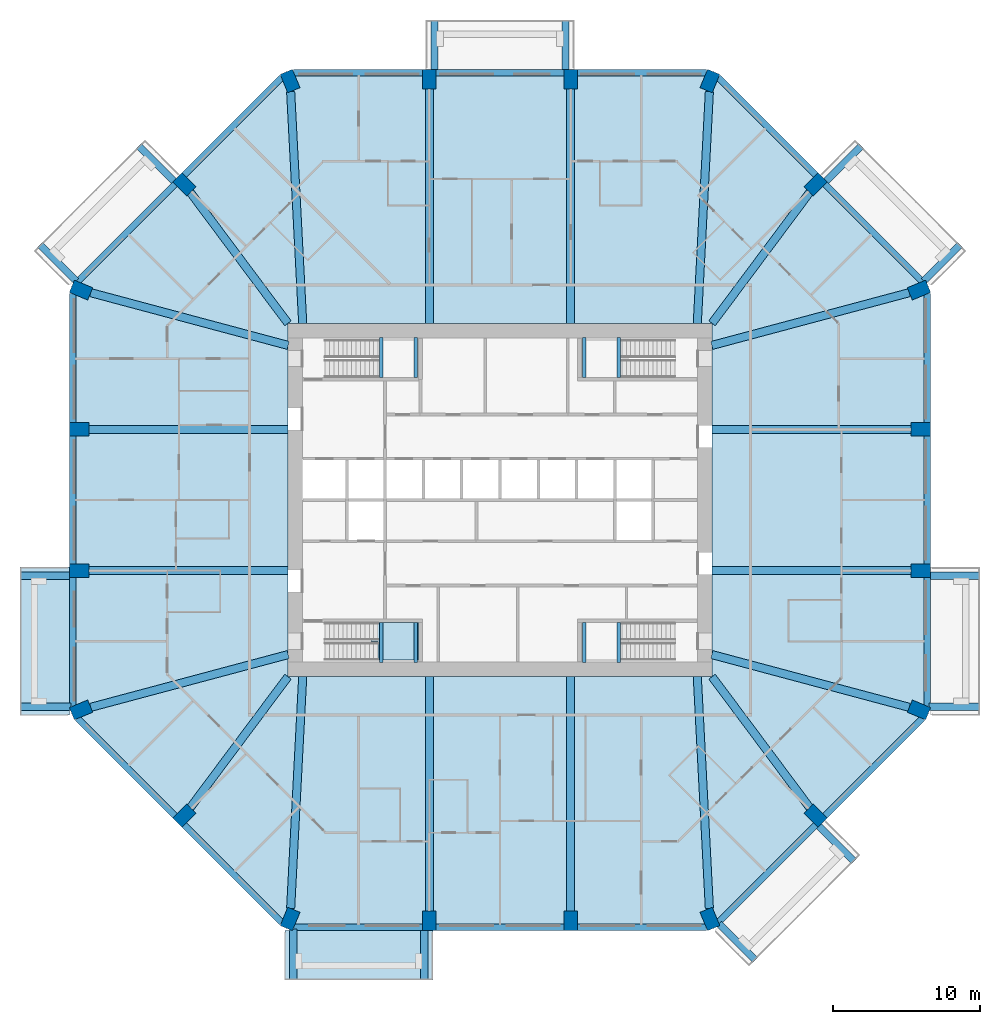
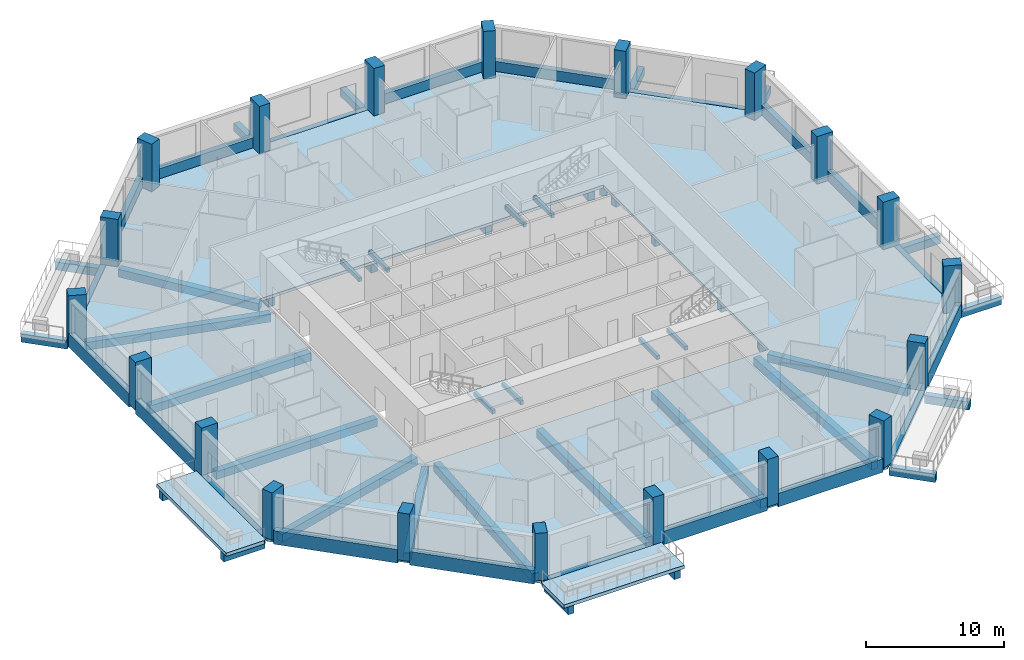
# One storey, part 1 of 13: 62 beams, 20 columns, 4 slabs, 1 element without a shape of its own.
"""IFC4 building model written with IfcOpenShell, lengths in metres."""

import ifcopenshell
import ifcopenshell.guid

model = None  # the IFC model being written
_history = None  # IfcOwnerHistory: only IFC2X3 demands one
_inside = {}  # id of a spatial element -> (the spatial element, [elements in it])
_under = {}  # id of a project, library or spatial element -> (it, [spatial elements below it])
_declared = {}  # id of a project -> (the project, [libraries it declares])
_typed = {}  # id of a type object -> (the type object, [elements of that type])
_made_of = {}  # id of a material, layer set ... -> (it, [elements and type objects made of it])


def new_model(schema):
    """Start an empty IFC model of exactly this schema.

    Asked for "IFC4X3", IfcOpenShell would pick the latest addendum, in which some entities
    have other attributes; the version numbers below select the first issue.
    IFC2X3 requires an IfcOwnerHistory on every rooted entity: one is made here for all.
    """
    global model, _history
    if schema == "IFC4X3":
        model = ifcopenshell.file(schema_version=(4, 3, 0, 0))
    else:
        model = ifcopenshell.file(schema=schema)
    _inside.clear()
    _under.clear()
    _declared.clear()
    _typed.clear()
    _made_of.clear()
    _history = None
    if model.schema == "IFC2X3":
        org = make("IfcOrganization", Name="unknown")
        user = make(
            "IfcPersonAndOrganization",
            ThePerson=make("IfcPerson", FamilyName="unknown"),
            TheOrganization=org,
        )
        app = make(
            "IfcApplication",
            ApplicationDeveloper=org,
            Version="unknown",
            ApplicationFullName="unknown",
            ApplicationIdentifier="unknown",
        )
        _history = make(
            "IfcOwnerHistory",
            OwningUser=user,
            OwningApplication=app,
            ChangeAction="ADDED",
            CreationDate=0,
        )
    return model


def make(cls, **values):
    """One entity of the class cls with the attributes given. An attribute that is None is left unset."""
    return model.create_entity(
        cls, **{name: value for name, value in values.items() if value is not None}
    )


def rooted(cls, **values):
    """An entity with a GlobalId (a new one), such as an element, a storey or a relation."""
    return make(cls, GlobalId=ifcopenshell.guid.new(), OwnerHistory=_history, **values)


def si_unit(unit_type, name, prefix=None):
    """IfcSIUnit, for example si_unit("LENGTHUNIT", "METRE", prefix="MILLI")."""
    return make("IfcSIUnit", UnitType=unit_type, Prefix=prefix, Name=name)


def assignment(units):
    """IfcUnitAssignment: the units of a project."""
    return None if units is None else make("IfcUnitAssignment", Units=units)


def point(xyz):
    """IfcCartesianPoint."""
    return None if xyz is None else make("IfcCartesianPoint", Coordinates=xyz)


def direction(xyz):
    """IfcDirection."""
    return None if xyz is None else make("IfcDirection", DirectionRatios=xyz)


def frame(location, z_axis=None, x_axis=None):
    """IfcAxis2Placement3D, a coordinate frame: its origin and axes. An axis left out is left unset."""
    return make(
        "IfcAxis2Placement3D",
        Location=point(location),
        Axis=direction(z_axis),
        RefDirection=direction(x_axis),
    )


def frame_2d(location, x_axis=None):
    """IfcAxis2Placement2D, a coordinate frame in the plane: its origin and x axis."""
    return make(
        "IfcAxis2Placement2D", Location=point(location), RefDirection=direction(x_axis)
    )


def origin():
    """The frame at (0, 0, 0) with its axes left unset."""
    return frame((0.0, 0.0, 0.0))


def origin_2d():
    """The frame at (0, 0) in the plane with its x axis left unset."""
    return frame_2d((0.0, 0.0))


def place(relative_to, where):
    """IfcLocalPlacement: puts the frame where relative to a parent placement (None: the world)."""
    return make(
        "IfcLocalPlacement", PlacementRelTo=relative_to, RelativePlacement=where
    )


def context(
    kind, dimensions, precision=None, world=None, true_north=None, identifier=None
):
    """IfcGeometricRepresentationContext, for example the 3D "Model" context."""
    return make(
        "IfcGeometricRepresentationContext",
        ContextIdentifier=identifier,
        ContextType=kind,
        CoordinateSpaceDimension=dimensions,
        Precision=precision,
        WorldCoordinateSystem=world,
        TrueNorth=true_north,
    )


def subcontext(parent, identifier, kind, view, scale=None):
    """IfcGeometricRepresentationSubContext, for example "Body" below "Model"."""
    return make(
        "IfcGeometricRepresentationSubContext",
        ContextIdentifier=identifier,
        ContextType=kind,
        ParentContext=parent,
        TargetScale=scale,
        TargetView=view,
    )


def project(units=None, contexts=None):
    """IfcProject with its units and contexts."""
    return rooted(
        "IfcProject",
        Name="project",
        RepresentationContexts=contexts,
        UnitsInContext=assignment(units),
    )


def spatial(cls, under=None, at=None, **own):
    """A site, building, storey or space (cls), placed at a placement, below another one or the project."""
    s = rooted(cls, ObjectPlacement=at, **own)
    if under is not None:
        _under.setdefault(under.id(), (under, []))[1].append(s)
    return s


def polyline(points):
    """IfcPolyline through the points."""
    return make("IfcPolyline", Points=[point(p) for p in points])


def profile(cls, at=None, kind="AREA", **sizes):
    """A parametric profile (cls). Its sizes go by their IFC names, for example OverallWidth=200.0."""
    return make(cls, ProfileType=kind, Position=at, **sizes)


def rectangle(**sizes):
    """IfcRectangleProfileDef."""
    return profile("IfcRectangleProfileDef", **sizes)


def outline(outer, holes=None, kind="AREA"):
    """IfcArbitraryClosedProfileDef: a profile drawn as a closed curve; with holes, ...WithVoids."""
    if holes is None:
        return make("IfcArbitraryClosedProfileDef", ProfileType=kind, OuterCurve=outer)
    return make(
        "IfcArbitraryProfileDefWithVoids",
        ProfileType=kind,
        OuterCurve=outer,
        InnerCurves=holes,
    )


def extrude(swept, where, along, depth):
    """IfcExtrudedAreaSolid: the profile swept, set in the frame where, extruded along a direction by depth."""
    return make(
        "IfcExtrudedAreaSolid",
        SweptArea=swept,
        Position=where,
        ExtrudedDirection=direction(along),
        Depth=depth,
    )


def shape(context_of_items, identifier, shape_type, items):
    """IfcShapeRepresentation: the items that make up one representation, for example the "Body"."""
    return make(
        "IfcShapeRepresentation",
        ContextOfItems=context_of_items,
        RepresentationIdentifier=identifier,
        RepresentationType=shape_type,
        Items=items,
    )


def material(Name=None, Category=None):
    """IfcMaterial."""
    return make("IfcMaterial", Name=Name, Category=Category)


def layer(
    of_material, thickness, ventilated=None, Name=None, Category=None, Priority=None
):
    """IfcMaterialLayer: one layer of a wall or slab, of a material (None: an air gap)."""
    return make(
        "IfcMaterialLayer",
        Material=of_material,
        LayerThickness=thickness,
        IsVentilated=ventilated,
        Name=Name,
        Category=Category,
        Priority=Priority,
    )


def layer_set(layers, Name=None):
    """IfcMaterialLayerSet."""
    return make("IfcMaterialLayerSet", MaterialLayers=layers, LayerSetName=Name)


def material_profile(
    of_material, cross_section, Name=None, Category=None, Priority=None
):
    """IfcMaterialProfile: a cross section and its material."""
    return make(
        "IfcMaterialProfile",
        Name=Name,
        Material=of_material,
        Profile=cross_section,
        Priority=Priority,
        Category=Category,
    )


def profile_set(profiles, Name=None, composite=None):
    """IfcMaterialProfileSet."""
    return make(
        "IfcMaterialProfileSet",
        Name=Name,
        MaterialProfiles=profiles,
        CompositeProfile=composite,
    )


def made_of(thing, what):
    """Note that an element or type object is made of a material, layer set ...; save() writes the relation."""
    if what is not None:
        _made_of.setdefault(what.id(), (what, []))[1].append(thing)
    return thing


def type_object(cls, material=None, **own):
    """A type object (cls), such as IfcWallType, which elements share."""
    return made_of(rooted(cls, **own), material)


def element(
    cls,
    number,
    at=None,
    inside=None,
    cuts=None,
    type_object=None,
    material=None,
    context=None,
    identifier="Body",
    shape_type=None,
    held_by="IfcProductDefinitionShape",
    body=None,
    shapes=None,
    **own,
):
    """One element of the class cls, such as IfcWall. Its Tag is "e" and its number.

    at: its placement. inside: the storey or other place that contains it. cuts: it is an
    opening in that element (IfcRelVoidsElement). A single representation is given by context,
    identifier, shape_type and body (its items); several are given by shapes. held_by: the class
    of the entity that holds the representations. save() writes the other relations.
    """
    e = rooted(cls, Tag="e%d" % number, ObjectPlacement=at, **own)
    if body is not None:
        shapes = [shape(context, identifier, shape_type, body)]
    if shapes is not None:
        e.Representation = make(held_by, Representations=shapes)
    if inside is not None:
        _inside.setdefault(inside.id(), (inside, []))[1].append(e)
    if cuts is not None:
        rooted(
            "IfcRelVoidsElement", RelatingBuildingElement=cuts, RelatedOpeningElement=e
        )
    if type_object is not None:
        _typed.setdefault(type_object.id(), (type_object, []))[1].append(e)
    return made_of(e, material)


def aggregate(whole, parts):
    """IfcRelAggregates: a whole, such as a stair, and the parts it consists of."""
    return rooted("IfcRelAggregates", RelatingObject=whole, RelatedObjects=parts)


def save(model, path):
    """Write the relations noted so far, then the file.

    IfcRelAggregates (storeys below a building ...), IfcRelContainedInSpatialStructure (elements
    in a storey), IfcRelDefinesByType, IfcRelAssociatesMaterial and IfcRelDeclares: one each for
    every whole, place, type object, material and project.
    """
    for whole, parts in _under.values():
        aggregate(whole, parts)
    for where, things in _inside.values():
        rooted(
            "IfcRelContainedInSpatialStructure",
            RelatedElements=things,
            RelatingStructure=where,
        )
    for kind, things in _typed.values():
        rooted("IfcRelDefinesByType", RelatedObjects=things, RelatingType=kind)
    for what, things in _made_of.values():
        rooted("IfcRelAssociatesMaterial", RelatedObjects=things, RelatingMaterial=what)
    for by, libraries in _declared.values():
        rooted("IfcRelDeclares", RelatingContext=by, RelatedDefinitions=libraries)
    model.write(path)


model = new_model("IFC4")

# Units and contexts
model_context = context("Model", 3, precision=1e-05, world=origin(), true_north=direction((0.0, 1.0)))
body_context = subcontext(model_context, "Body", "Model", "MODEL_VIEW")
ifc_project = project(units=[si_unit("LENGTHUNIT", "METRE"), si_unit("AREAUNIT", "SQUARE_METRE"), si_unit("VOLUMEUNIT", "CUBIC_METRE"), si_unit("PLANEANGLEUNIT", "RADIAN"), si_unit("MASSUNIT", "GRAM", prefix="KILO")], contexts=[model_context])

# Site, building, storey
site_placement = place(None, origin())
site = spatial("IfcSite", under=ifc_project, at=site_placement, CompositionType="ELEMENT")
building_placement = place(site_placement, origin())
building = spatial("IfcBuilding", under=site, at=building_placement, Name="Msitu Wima Residences", CompositionType="ELEMENT")
storey_placement = place(building_placement, frame((0.0, 0.0, 80.10009765625)))
storey = spatial("IfcBuildingStorey", under=building, at=storey_placement, Name="L18", CompositionType="ELEMENT", Elevation=80.10009765625)

# Columns
ifc_material_1 = material(Name="Concrete C80/95", Category="concrete")
ifc_material_profile_1 = material_profile(ifc_material_1, rectangle(XDim=0.89990234375, YDim=1.35009765625, at=origin_2d()), Name="RC 900x1350")
ifc_profile_set_1 = profile_set([ifc_material_profile_1], Name="Concrete C80/95")
column_type = type_object("IfcColumnType", Name="Column RC 900x1350 Concrete C80/95", PredefinedType="COLUMN", material=ifc_profile_set_1)
for number, where, z_axis, x_axis, name in (
    (1, (28.4541015625, -14.2568359375, 0.0), (0.0, 0.0, 1.0), (0.382683496864, 0.923879505795, 0.0), "Column L18 C-E0"),
    (2, (28.574951171875, -4.800048828125, 0.0), (0.0, 0.0, 1.0), (0.0, 1.0, 0.0), "Column L18 C-E1"),
    (3, (28.574951171875, 4.800048828125, 0.0), (0.0, 0.0, 1.0), (0.0, 1.0, 0.0), "Column L18 C-E2"),
    (4, (28.4541015625, 14.2568359375, 0.0), (0.0, 0.0, 1.0), (-0.382683496864, 0.923879505795, 0.0), "Column L18 C-NE0"),
    (5, (21.44091796875, 21.44091796875, 0.0), (0.0, 0.0, 1.0), (-0.707106781187, 0.707106781187, 0.0), "Column L18 C-NE1"),
    (6, (14.2568359375, 28.4541015625, 0.0), (0.0, 0.0, 1.0), (-0.923879505795, 0.382683496864, 0.0), "Column L18 C-N0"),
    (7, (4.800048828125, 28.574951171875, 0.0), (0.0, 0.0, 1.0), (-1.0, 0.0, 0.0), "Column L18 C-N1"),
    (8, (-4.800048828125, 28.574951171875, 0.0), (0.0, 0.0, 1.0), (-1.0, 0.0, 0.0), "Column L18 C-N2"),
    (9, (-14.2568359375, 28.4541015625, 0.0), (0.0, 0.0, 1.0), (-0.923879505795, -0.382683496864, 0.0), "Column L18 C-NW0"),
    (10, (-21.44091796875, 21.44091796875, 0.0), (0.0, 0.0, 1.0), (-0.707106781187, -0.707106781187, 0.0), "Column L18 C-NW1"),
    (11, (-28.4541015625, 14.2568359375, 0.0), (0.0, 0.0, 1.0), (-0.382683496864, -0.923879505795, 0.0), "Column L18 C-W0"),
    (12, (-28.574951171875, 4.800048828125, 0.0), (0.0, 0.0, 1.0), (0.0, -1.0, 0.0), "Column L18 C-W1"),
    (13, (-28.574951171875, -4.800048828125, 0.0), (0.0, 0.0, 1.0), (0.0, -1.0, 0.0), "Column L18 C-W2"),
    (14, (-28.4541015625, -14.2568359375, 0.0), (0.0, 0.0, 1.0), (0.382683496864, -0.923879505795, 0.0), "Column L18 C-SW0"),
    (15, (-21.44091796875, -21.44091796875, 0.0), (0.0, 0.0, 1.0), (0.707106781187, -0.707106781187, 0.0), "Column L18 C-SW1"),
    (16, (-14.2568359375, -28.4541015625, 0.0), (0.0, 0.0, 1.0), (0.923879505795, -0.382683496864, 0.0), "Column L18 C-S0"),
    (17, (-4.800048828125, -28.574951171875, 0.0), (0.0, 0.0, 1.0), (1.0, 0.0, 0.0), "Column L18 C-S1"),
    (18, (4.800048828125, -28.574951171875, 0.0), (0.0, 0.0, 1.0), (1.0, 0.0, 0.0), "Column L18 C-S2"),
    (19, (14.2568359375, -28.4541015625, 0.0), (0.0, 0.0, 1.0), (0.923879505795, 0.382683496864, 0.0), "Column L18 C-SE0"),
    (20, (21.44091796875, -21.44091796875, 0.0), (0.0, 0.0, 1.0), (0.707106781187, 0.707106781187, 0.0), "Column L18 C-SE1"),
):
    element("IfcColumn", number, at=place(storey_placement, frame(where, z_axis=z_axis, x_axis=x_axis)), inside=storey, type_object=column_type, Name=name, PredefinedType="COLUMN", context=body_context, shape_type="SweptSolid", body=[
        extrude(rectangle(XDim=0.89990234375, YDim=1.35009765625, at=origin_2d()), origin(), (0.0, 0.0, 1.0), 4.199951171875),
    ])

# Beams
ifc_material_2 = material(Name="Concrete C50/60", Category="concrete")
ifc_material_profile_2 = material_profile(ifc_material_2, rectangle(XDim=0.550048828125, YDim=0.699951171875, at=origin_2d()), Name="RC 550x700")
ifc_profile_set_2 = profile_set([ifc_material_profile_2], Name="Concrete C50/60")
beam_type_1 = type_object("IfcBeamType", Name="Beam RC 550x700 Concrete C50/60", PredefinedType="BEAM", material=ifc_profile_set_2)
beam_1_placement = place(storey_placement, frame((27.79638671875, -14.080810546875, -0.60009765625), z_axis=(-0.966081778408, 0.258236320891, 0.0), x_axis=(-0.258236320891, -0.966081778408, 0.0)))
element("IfcBeam", 21, at=beam_1_placement, inside=storey, type_object=beam_type_1, Name="Beam L18 C-E0", PredefinedType="BEAM", context=body_context, shape_type="SweptSolid", body=[
    extrude(rectangle(XDim=0.550048828125, YDim=0.699951171875, at=origin_2d()), origin(), (0.0, 0.0, 1.0), 13.878662109375),
])
for number, where, z_axis, x_axis, name in (
    (22, (27.89990234375, -4.800048828125, -0.60009765625), (-1.0, 0.0, 0.0), (0.0, -1.0, 0.0), "Beam L18 C-E1"),
    (23, (27.89990234375, 4.800048828125, -0.60009765625), (-1.0, 0.0, 0.0), (0.0, -1.0, 0.0), "Beam L18 C-E2"),
):
    element("IfcBeam", number, at=place(storey_placement, frame(where, z_axis=z_axis, x_axis=x_axis)), inside=storey, type_object=beam_type_1, Name=name, PredefinedType="BEAM", context=body_context, shape_type="SweptSolid", body=[
        extrude(rectangle(XDim=0.550048828125, YDim=0.699951171875, at=origin_2d()), origin(), (0.0, 0.0, 1.0), 13.5),
    ])
beam_2_placement = place(storey_placement, frame((27.79638671875, 14.080810546875, -0.60009765625), z_axis=(-0.966081778408, -0.258236320891, 0.0), x_axis=(0.258236320891, -0.966081778408, 0.0)))
element("IfcBeam", 24, at=beam_2_placement, inside=storey, type_object=beam_type_1, Name="Beam L18 C-NE0", PredefinedType="BEAM", context=body_context, shape_type="SweptSolid", body=[
    extrude(rectangle(XDim=0.550048828125, YDim=0.699951171875, at=origin_2d()), origin(), (0.0, 0.0, 1.0), 13.878662109375),
])
for number, where, z_axis, x_axis, name in (
    (25, (21.033203125, 20.89404296875, -0.60009765625), (-0.597850242031, -0.801607814398, 0.0), (0.801607814398, -0.597850242031, 0.0), "Beam L18 C-NE1"),
    (26, (-21.033203125, 20.89404296875, -0.60009765625), (0.597850242031, -0.801607814398, 0.0), (0.801607814398, 0.597850242031, 0.0), "Beam L18 C-NW1"),
):
    element("IfcBeam", number, at=place(storey_placement, frame(where, z_axis=z_axis, x_axis=x_axis)), inside=storey, type_object=beam_type_1, Name=name, PredefinedType="BEAM", context=body_context, shape_type="SweptSolid", body=[
        extrude(rectangle(XDim=0.550048828125, YDim=0.699951171875, at=origin_2d()), origin(), (0.0, 0.0, 1.0), 11.09521484375),
    ])
beam_3_placement = place(storey_placement, frame((-27.79638671875, 14.080810546875, -0.60009765625), z_axis=(0.966081778408, -0.258236320891, 0.0), x_axis=(0.258236320891, 0.966081778408, 0.0)))
element("IfcBeam", 27, at=beam_3_placement, inside=storey, type_object=beam_type_1, Name="Beam L18 C-W0", PredefinedType="BEAM", context=body_context, shape_type="SweptSolid", body=[
    extrude(rectangle(XDim=0.550048828125, YDim=0.699951171875, at=origin_2d()), origin(), (0.0, 0.0, 1.0), 13.878662109375),
])
for number, where, z_axis, x_axis, name in (
    (28, (-27.89990234375, 4.800048828125, -0.60009765625), (1.0, 0.0, 0.0), (0.0, 1.0, 0.0), "Beam L18 C-W1"),
    (29, (-27.89990234375, -4.800048828125, -0.60009765625), (1.0, 0.0, 0.0), (0.0, 1.0, 0.0), "Beam L18 C-W2"),
):
    element("IfcBeam", number, at=place(storey_placement, frame(where, z_axis=z_axis, x_axis=x_axis)), inside=storey, type_object=beam_type_1, Name=name, PredefinedType="BEAM", context=body_context, shape_type="SweptSolid", body=[
        extrude(rectangle(XDim=0.550048828125, YDim=0.699951171875, at=origin_2d()), origin(), (0.0, 0.0, 1.0), 13.5),
    ])
beam_4_placement = place(storey_placement, frame((-27.79638671875, -14.080810546875, -0.60009765625), z_axis=(0.966081778408, 0.258236320891, 0.0), x_axis=(-0.258236320891, 0.966081778408, 0.0)))
element("IfcBeam", 30, at=beam_4_placement, inside=storey, type_object=beam_type_1, Name="Beam L18 C-SW0", PredefinedType="BEAM", context=body_context, shape_type="SweptSolid", body=[
    extrude(rectangle(XDim=0.550048828125, YDim=0.699951171875, at=origin_2d()), origin(), (0.0, 0.0, 1.0), 13.878662109375),
])
for number, where, z_axis, x_axis, name in (
    (31, (-21.033203125, -20.89404296875, -0.60009765625), (0.597850242031, 0.801607814398, 0.0), (-0.801607814398, 0.597850242031, 0.0), "Beam L18 C-SW1"),
    (32, (21.033203125, -20.89404296875, -0.60009765625), (-0.597850242031, 0.801607814398, 0.0), (-0.801607814398, -0.597850242031, 0.0), "Beam L18 C-SE1"),
):
    element("IfcBeam", number, at=place(storey_placement, frame(where, z_axis=z_axis, x_axis=x_axis)), inside=storey, type_object=beam_type_1, Name=name, PredefinedType="BEAM", context=body_context, shape_type="SweptSolid", body=[
        extrude(rectangle(XDim=0.550048828125, YDim=0.699951171875, at=origin_2d()), origin(), (0.0, 0.0, 1.0), 11.09521484375),
    ])
ifc_material_profile_3 = material_profile(ifc_material_2, rectangle(XDim=0.550048828125, YDim=0.75, at=origin_2d()), Name="RC 550x750")
ifc_profile_set_3 = profile_set([ifc_material_profile_3], Name="Concrete C50/60")
beam_type_2 = type_object("IfcBeamType", Name="Beam RC 550x750 Concrete C50/60", PredefinedType="BEAM", material=ifc_profile_set_3)
beam_5_placement = place(storey_placement, frame((14.219482421875, 27.739013671875, -0.625), z_axis=(-0.05199418091, -0.998647387796, 0.0), x_axis=(0.998647387796, -0.05199418091, 0.0)))
element("IfcBeam", 33, at=beam_5_placement, inside=storey, type_object=beam_type_2, Name="Beam L18 C-N0", PredefinedType="BEAM", context=body_context, shape_type="SweptSolid", body=[
    extrude(rectangle(XDim=0.550048828125, YDim=0.75, at=origin_2d()), origin(), (0.0, 0.0, 1.0), 15.772216796875),
])
for number, where, z_axis, x_axis, name in (
    (34, (4.800048828125, 27.89990234375, -0.625), (0.0, -1.0, 0.0), (1.0, 0.0, 0.0), "Beam L18 C-N1"),
    (35, (-4.800048828125, 27.89990234375, -0.625), (0.0, -1.0, 0.0), (1.0, 0.0, 0.0), "Beam L18 C-N2"),
):
    element("IfcBeam", number, at=place(storey_placement, frame(where, z_axis=z_axis, x_axis=x_axis)), inside=storey, type_object=beam_type_2, Name=name, PredefinedType="BEAM", context=body_context, shape_type="SweptSolid", body=[
        extrude(rectangle(XDim=0.550048828125, YDim=0.75, at=origin_2d()), origin(), (0.0, 0.0, 1.0), 15.89990234375),
    ])
for number, where, z_axis, x_axis, name in (
    (36, (-14.219482421875, 27.739013671875, -0.625), (0.05199418091, -0.998647387796, 0.0), (0.998647387796, 0.05199418091, 0.0), "Beam L18 C-NW0"),
    (37, (-14.219482421875, -27.739013671875, -0.625), (0.05199418091, 0.998647387796, 0.0), (-0.998647387796, 0.05199418091, 0.0), "Beam L18 C-S0"),
):
    element("IfcBeam", number, at=place(storey_placement, frame(where, z_axis=z_axis, x_axis=x_axis)), inside=storey, type_object=beam_type_2, Name=name, PredefinedType="BEAM", context=body_context, shape_type="SweptSolid", body=[
        extrude(rectangle(XDim=0.550048828125, YDim=0.75, at=origin_2d()), origin(), (0.0, 0.0, 1.0), 15.772216796875),
    ])
for number, where, z_axis, x_axis, name in (
    (38, (-4.800048828125, -27.89990234375, -0.625), (0.0, 1.0, 0.0), (-1.0, 0.0, 0.0), "Beam L18 C-S1"),
    (39, (4.800048828125, -27.89990234375, -0.625), (0.0, 1.0, 0.0), (-1.0, 0.0, 0.0), "Beam L18 C-S2"),
):
    element("IfcBeam", number, at=place(storey_placement, frame(where, z_axis=z_axis, x_axis=x_axis)), inside=storey, type_object=beam_type_2, Name=name, PredefinedType="BEAM", context=body_context, shape_type="SweptSolid", body=[
        extrude(rectangle(XDim=0.550048828125, YDim=0.75, at=origin_2d()), origin(), (0.0, 0.0, 1.0), 15.89990234375),
    ])
beam_6_placement = place(storey_placement, frame((14.219482421875, -27.739013671875, -0.625), z_axis=(-0.05199418091, 0.998647387796, 0.0), x_axis=(-0.998647387796, -0.05199418091, 0.0)))
element("IfcBeam", 40, at=beam_6_placement, inside=storey, type_object=beam_type_2, Name="Beam L18 C-SE0", PredefinedType="BEAM", context=body_context, shape_type="SweptSolid", body=[
    extrude(rectangle(XDim=0.550048828125, YDim=0.75, at=origin_2d()), origin(), (0.0, 0.0, 1.0), 15.772216796875),
])
ifc_material_profile_4 = material_profile(ifc_material_2, rectangle(XDim=0.5, YDim=0.699951171875, at=origin_2d()), Name="RC 500x700")
ifc_profile_set_4 = profile_set([ifc_material_profile_4], Name="Concrete C50/60")
beam_type_3 = type_object("IfcBeamType", Name="Cantilever beam RC 500x700 Concrete C50/60", PredefinedType="BEAM", material=ifc_profile_set_4)
beam_7_placement = place(storey_placement, frame((29.130859375, -14.050048828125, -0.650146484375), z_axis=(1.0, 0.0, 0.0), x_axis=(0.0, 1.0, 0.0)))
element("IfcBeam", 41, at=beam_7_placement, inside=storey, type_object=beam_type_3, Name="Cantilever beam L18 BA-E0 A", PredefinedType="BEAM", context=body_context, shape_type="SweptSolid", body=[
    extrude(rectangle(XDim=0.5, YDim=0.699951171875, at=origin_2d()), origin(), (0.0, 0.0, 1.0), 3.46923828125),
])
beam_8_placement = place(storey_placement, frame((29.25, -5.14990234375, -0.650146484375), z_axis=(1.0, 0.0, 0.0), x_axis=(0.0, 1.0, 0.0)))
element("IfcBeam", 42, at=beam_8_placement, inside=storey, type_object=beam_type_3, Name="Cantilever beam L18 BA-E0 B", PredefinedType="BEAM", context=body_context, shape_type="SweptSolid", body=[
    extrude(rectangle(XDim=0.5, YDim=0.699951171875, at=origin_2d()), origin(), (0.0, 0.0, 1.0), 3.35009765625),
])
beam_9_placement = place(storey_placement, frame((28.78662109375, 14.881591796875, -0.650146484375), z_axis=(0.707106781187, 0.707106781187, 0.0), x_axis=(-0.707106781187, 0.707106781187, 0.0)))
element("IfcBeam", 43, at=beam_9_placement, inside=storey, type_object=beam_type_3, Name="Cantilever beam L18 BA-NE0 A", PredefinedType="BEAM", context=body_context, shape_type="SweptSolid", body=[
    extrude(rectangle(XDim=0.5, YDim=0.699951171875, at=origin_2d()), origin(), (0.0, 0.0, 1.0), 3.468994140625),
])
beam_10_placement = place(storey_placement, frame((22.165771484375, 21.670654296875, -0.650146484375), z_axis=(0.707070340836, 0.707143219659, 0.0), x_axis=(-0.707143219659, 0.707070340836, 0.0)))
element("IfcBeam", 44, at=beam_10_placement, inside=storey, type_object=beam_type_3, Name="Cantilever beam L18 BA-NE0 B", PredefinedType="BEAM", context=body_context, shape_type="SweptSolid", body=[
    extrude(rectangle(XDim=0.5, YDim=0.699951171875, at=origin_2d()), origin(), (0.0, 0.0, 1.0), 3.349853515625),
])
for number, where, z_axis, x_axis, name in (
    (45, (4.449951171875, 29.25, -0.650146484375), (0.0, 1.0, 0.0), (-1.0, 0.0, 0.0), "Cantilever beam L18 BA-N1 A"),
    (46, (-4.449951171875, 29.25, -0.650146484375), (0.0, 1.0, 0.0), (-1.0, 0.0, 0.0), "Cantilever beam L18 BA-N1 B"),
):
    element("IfcBeam", number, at=place(storey_placement, frame(where, z_axis=z_axis, x_axis=x_axis)), inside=storey, type_object=beam_type_3, Name=name, PredefinedType="BEAM", context=body_context, shape_type="SweptSolid", body=[
        extrude(rectangle(XDim=0.5, YDim=0.699951171875, at=origin_2d()), origin(), (0.0, 0.0, 1.0), 3.35009765625),
    ])
beam_11_placement = place(storey_placement, frame((-22.165771484375, 21.670654296875, -0.650146484375), z_axis=(-0.707070340836, 0.707143219659, 0.0), x_axis=(-0.707143219659, -0.707070340836, 0.0)))
element("IfcBeam", 47, at=beam_11_placement, inside=storey, type_object=beam_type_3, Name="Cantilever beam L18 BA-NW1 A", PredefinedType="BEAM", context=body_context, shape_type="SweptSolid", body=[
    extrude(rectangle(XDim=0.5, YDim=0.699951171875, at=origin_2d()), origin(), (0.0, 0.0, 1.0), 3.349853515625),
])
beam_12_placement = place(storey_placement, frame((-28.78662109375, 14.881591796875, -0.650146484375), z_axis=(-0.707106781187, 0.707106781187, 0.0), x_axis=(-0.707106781187, -0.707106781187, 0.0)))
element("IfcBeam", 48, at=beam_12_placement, inside=storey, type_object=beam_type_3, Name="Cantilever beam L18 BA-NW1 B", PredefinedType="BEAM", context=body_context, shape_type="SweptSolid", body=[
    extrude(rectangle(XDim=0.5, YDim=0.699951171875, at=origin_2d()), origin(), (0.0, 0.0, 1.0), 3.468994140625),
])
beam_13_placement = place(storey_placement, frame((-29.25, -5.14990234375, -0.650146484375), z_axis=(-1.0, 0.0, 0.0), x_axis=(0.0, -1.0, 0.0)))
element("IfcBeam", 49, at=beam_13_placement, inside=storey, type_object=beam_type_3, Name="Cantilever beam L18 BA-W2 A", PredefinedType="BEAM", context=body_context, shape_type="SweptSolid", body=[
    extrude(rectangle(XDim=0.5, YDim=0.699951171875, at=origin_2d()), origin(), (0.0, 0.0, 1.0), 3.35009765625),
])
for number, where, z_axis, x_axis, name in (
    (50, (-29.130859375, -14.050048828125, -0.650146484375), (-1.0, 0.0, 0.0), (0.0, -1.0, 0.0), "Cantilever beam L18 BA-W2 B"),
    (51, (-14.050048828125, -29.130859375, -0.650146484375), (0.0, -1.0, 0.0), (1.0, 0.0, 0.0), "Cantilever beam L18 BA-S0 A"),
):
    element("IfcBeam", number, at=place(storey_placement, frame(where, z_axis=z_axis, x_axis=x_axis)), inside=storey, type_object=beam_type_3, Name=name, PredefinedType="BEAM", context=body_context, shape_type="SweptSolid", body=[
        extrude(rectangle(XDim=0.5, YDim=0.699951171875, at=origin_2d()), origin(), (0.0, 0.0, 1.0), 3.46923828125),
    ])
beam_14_placement = place(storey_placement, frame((-5.14990234375, -29.25, -0.650146484375), z_axis=(0.0, -1.0, 0.0), x_axis=(1.0, 0.0, 0.0)))
element("IfcBeam", 52, at=beam_14_placement, inside=storey, type_object=beam_type_3, Name="Cantilever beam L18 BA-S0 B", PredefinedType="BEAM", context=body_context, shape_type="SweptSolid", body=[
    extrude(rectangle(XDim=0.5, YDim=0.699951171875, at=origin_2d()), origin(), (0.0, 0.0, 1.0), 3.35009765625),
])
beam_15_placement = place(storey_placement, frame((14.881591796875, -28.78662109375, -0.650146484375), z_axis=(0.707106781187, -0.707106781187, 0.0), x_axis=(0.707106781187, 0.707106781187, 0.0)))
element("IfcBeam", 53, at=beam_15_placement, inside=storey, type_object=beam_type_3, Name="Cantilever beam L18 BA-SE0 A", PredefinedType="BEAM", context=body_context, shape_type="SweptSolid", body=[
    extrude(rectangle(XDim=0.5, YDim=0.699951171875, at=origin_2d()), origin(), (0.0, 0.0, 1.0), 3.468994140625),
])
beam_16_placement = place(storey_placement, frame((21.670654296875, -22.165771484375, -0.650146484375), z_axis=(0.707143219659, -0.707070340836, 0.0), x_axis=(0.707070340836, 0.707143219659, 0.0)))
element("IfcBeam", 54, at=beam_16_placement, inside=storey, type_object=beam_type_3, Name="Cantilever beam L18 BA-SE0 B", PredefinedType="BEAM", context=body_context, shape_type="SweptSolid", body=[
    extrude(rectangle(XDim=0.5, YDim=0.699951171875, at=origin_2d()), origin(), (0.0, 0.0, 1.0), 3.349853515625),
])
ifc_material_profile_5 = material_profile(ifc_material_2, rectangle(XDim=0.449951171875, YDim=0.300048828125, at=origin_2d()), Name="RC 450x300")
ifc_profile_set_5 = profile_set([ifc_material_profile_5], Name="Concrete C50/60")
beam_type_4 = type_object("IfcBeamType", Name="Edge beam RC 450x300 Concrete C50/60", PredefinedType="SPANDREL", material=ifc_profile_set_5)
beam_17_placement = place(storey_placement, frame((29.02490234375, -14.01806640625, -0.150146484375), z_axis=(0.0, 1.0, 0.0), x_axis=(-1.0, 0.0, 0.0)))
element("IfcBeam", 55, at=beam_17_placement, inside=storey, type_object=beam_type_4, Name="Spandrel L18 E0", PredefinedType="SPANDREL", context=body_context, shape_type="SweptSolid", body=[
    extrude(rectangle(XDim=0.449951171875, YDim=0.300048828125, at=origin_2d()), origin(), (0.0, 0.0, 1.0), 8.76806640625),
])
beam_18_placement = place(storey_placement, frame((28.68896484375, 14.8291015625, -0.150146484375), z_axis=(-0.707093725903, 0.707119836229, 0.0), x_axis=(-0.707119836229, -0.707093725903, 0.0)))
element("IfcBeam", 56, at=beam_18_placement, inside=storey, type_object=beam_type_4, Name="Spandrel L18 NE0", PredefinedType="SPANDREL", context=body_context, shape_type="SweptSolid", body=[
    extrude(rectangle(XDim=0.449951171875, YDim=0.300048828125, at=origin_2d()), origin(), (0.0, 0.0, 1.0), 9.350341796875),
])
beam_19_placement = place(storey_placement, frame((4.35009765625, 29.02490234375, -0.150146484375), z_axis=(-1.0, 0.0, 0.0), x_axis=(0.0, -1.0, 0.0)))
element("IfcBeam", 57, at=beam_19_placement, inside=storey, type_object=beam_type_4, Name="Spandrel L18 N1", PredefinedType="SPANDREL", context=body_context, shape_type="SweptSolid", body=[
    extrude(rectangle(XDim=0.449951171875, YDim=0.300048828125, at=origin_2d()), origin(), (0.0, 0.0, 1.0), 8.7001953125),
])
beam_20_placement = place(storey_placement, frame((-22.077392578125, 21.44091796875, -0.150146484375), z_axis=(-0.707093725903, -0.707119836229, 0.0), x_axis=(0.707119836229, -0.707093725903, 0.0)))
element("IfcBeam", 58, at=beam_20_placement, inside=storey, type_object=beam_type_4, Name="Spandrel L18 NW1", PredefinedType="SPANDREL", context=body_context, shape_type="SweptSolid", body=[
    extrude(rectangle(XDim=0.449951171875, YDim=0.300048828125, at=origin_2d()), origin(), (0.0, 0.0, 1.0), 9.350341796875),
])
for number, where, z_axis, x_axis, name in (
    (59, (-29.02490234375, -5.25, -0.150146484375), (0.0, -1.0, 0.0), (1.0, 0.0, 0.0), "Spandrel L18 W2"),
    (60, (-14.01806640625, -29.02490234375, -0.150146484375), (1.0, 0.0, 0.0), (0.0, 1.0, 0.0), "Spandrel L18 S0"),
):
    element("IfcBeam", number, at=place(storey_placement, frame(where, z_axis=z_axis, x_axis=x_axis)), inside=storey, type_object=beam_type_4, Name=name, PredefinedType="SPANDREL", context=body_context, shape_type="SweptSolid", body=[
        extrude(rectangle(XDim=0.449951171875, YDim=0.300048828125, at=origin_2d()), origin(), (0.0, 0.0, 1.0), 8.76806640625),
    ])
beam_21_placement = place(storey_placement, frame((14.8291015625, -28.68896484375, -0.150146484375), z_axis=(0.707119836229, 0.707093725903, 0.0), x_axis=(-0.707093725903, 0.707119836229, 0.0)))
element("IfcBeam", 61, at=beam_21_placement, inside=storey, type_object=beam_type_4, Name="Spandrel L18 SE0", PredefinedType="SPANDREL", context=body_context, shape_type="SweptSolid", body=[
    extrude(rectangle(XDim=0.449951171875, YDim=0.300048828125, at=origin_2d()), origin(), (0.0, 0.0, 1.0), 9.350341796875),
])
ifc_material_3 = material(Name="Concrete C40/50", Category="concrete")
ifc_material_profile_6 = material_profile(ifc_material_3, rectangle(XDim=0.25, YDim=0.35009765625, at=origin_2d()), Name="RC 250x350")
ifc_profile_set_6 = profile_set([ifc_material_profile_6], Name="Concrete C40/50")
beam_type_5 = type_object("IfcBeamType", Name="Landing beam RC 250x350", PredefinedType="BEAM", material=ifc_profile_set_6)
for number, where, z_axis, x_axis, name in (
    (62, (-8.074951171875, 8.324951171875, 1.724853515625), (0.0, 1.0, 0.0), (-1.0, 0.0, 0.0), "Stair 1 landing beam"),
    (63, (-5.72509765625, 8.324951171875, 1.724853515625), (0.0, 1.0, 0.0), (-1.0, 0.0, 0.0), "Stair 1 landing beam"),
    (64, (-8.074951171875, -11.02490234375, 1.724853515625), (0.0, 1.0, 0.0), (-1.0, 0.0, 0.0), "Stair 2 landing beam"),
    (65, (-5.72509765625, -11.02490234375, 1.724853515625), (0.0, 1.0, 0.0), (-1.0, 0.0, 0.0), "Stair 2 landing beam"),
    (66, (8.074951171875, 8.324951171875, 1.724853515625), (0.0, 1.0, 0.0), (-1.0, 0.0, 0.0), "Stair 3 landing beam"),
    (67, (5.72509765625, 8.324951171875, 1.724853515625), (0.0, 1.0, 0.0), (-1.0, 0.0, 0.0), "Stair 3 landing beam"),
    (68, (8.074951171875, -11.02490234375, 1.724853515625), (0.0, 1.0, 0.0), (-1.0, 0.0, 0.0), "Stair 4 landing beam"),
    (69, (5.72509765625, -11.02490234375, 1.724853515625), (0.0, 1.0, 0.0), (-1.0, 0.0, 0.0), "Stair 4 landing beam"),
):
    element("IfcBeam", number, at=place(storey_placement, frame(where, z_axis=z_axis, x_axis=x_axis)), inside=storey, type_object=beam_type_5, Name=name, PredefinedType="BEAM", context=body_context, shape_type="SweptSolid", body=[
        extrude(rectangle(XDim=0.25, YDim=0.35009765625, at=origin_2d()), origin(), (0.0, 0.0, 1.0), 2.699951171875),
    ])
ifc_material_profile_7 = material_profile(ifc_material_2, rectangle(XDim=0.449951171875, YDim=1.199951171875, at=origin_2d()), Name="RC 450x1200")
ifc_profile_set_7 = profile_set([ifc_material_profile_7], Name="Concrete C50/60")
beam_type_6 = type_object("IfcBeamType", Name="Spandrel RC 450x1200 Concrete C50/60", PredefinedType="SPANDREL", material=ifc_profile_set_7)
beam_22_placement = place(storey_placement, frame((29.02490234375, -4.35009765625, 0.2998046875), z_axis=(0.0, 1.0, 0.0), x_axis=(-1.0, 0.0, 0.0)))
element("IfcBeam", 70, at=beam_22_placement, inside=storey, type_object=beam_type_6, Name="Spandrel L18 E1", PredefinedType="SPANDREL", context=body_context, shape_type="SweptSolid", body=[
    extrude(rectangle(XDim=0.449951171875, YDim=1.199951171875, at=origin_2d()), origin(), (0.0, 0.0, 1.0), 8.7001953125),
])
beam_23_placement = place(storey_placement, frame((29.02490234375, 5.25, 0.2998046875), z_axis=(0.0, 1.0, 0.0), x_axis=(-1.0, 0.0, 0.0)))
element("IfcBeam", 71, at=beam_23_placement, inside=storey, type_object=beam_type_6, Name="Spandrel L18 E2", PredefinedType="SPANDREL", context=body_context, shape_type="SweptSolid", body=[
    extrude(rectangle(XDim=0.449951171875, YDim=1.199951171875, at=origin_2d()), origin(), (0.0, 0.0, 1.0), 8.76806640625),
])
beam_24_placement = place(storey_placement, frame((21.44091796875, 22.077392578125, 0.2998046875), z_axis=(-0.707119836229, 0.707093725903, 0.0), x_axis=(-0.707093725903, -0.707119836229, 0.0)))
element("IfcBeam", 72, at=beam_24_placement, inside=storey, type_object=beam_type_6, Name="Spandrel L18 NE1", PredefinedType="SPANDREL", context=body_context, shape_type="SweptSolid", body=[
    extrude(rectangle(XDim=0.449951171875, YDim=1.199951171875, at=origin_2d()), origin(), (0.0, 0.0, 1.0), 9.350341796875),
])
for number, where, z_axis, x_axis, name in (
    (73, (14.01806640625, 29.02490234375, 0.2998046875), (-1.0, 0.0, 0.0), (0.0, -1.0, 0.0), "Spandrel L18 N0"),
    (74, (-5.25, 29.02490234375, 0.2998046875), (-1.0, 0.0, 0.0), (0.0, -1.0, 0.0), "Spandrel L18 N2"),
):
    element("IfcBeam", number, at=place(storey_placement, frame(where, z_axis=z_axis, x_axis=x_axis)), inside=storey, type_object=beam_type_6, Name=name, PredefinedType="SPANDREL", context=body_context, shape_type="SweptSolid", body=[
        extrude(rectangle(XDim=0.449951171875, YDim=1.199951171875, at=origin_2d()), origin(), (0.0, 0.0, 1.0), 8.76806640625),
    ])
beam_25_placement = place(storey_placement, frame((-14.8291015625, 28.68896484375, 0.2998046875), z_axis=(-0.707119836229, -0.707093725903, 0.0), x_axis=(0.707093725903, -0.707119836229, 0.0)))
element("IfcBeam", 75, at=beam_25_placement, inside=storey, type_object=beam_type_6, Name="Spandrel L18 NW0", PredefinedType="SPANDREL", context=body_context, shape_type="SweptSolid", body=[
    extrude(rectangle(XDim=0.449951171875, YDim=1.199951171875, at=origin_2d()), origin(), (0.0, 0.0, 1.0), 9.350341796875),
])
beam_26_placement = place(storey_placement, frame((-29.02490234375, 14.01806640625, 0.2998046875), z_axis=(0.0, -1.0, 0.0), x_axis=(1.0, 0.0, 0.0)))
element("IfcBeam", 76, at=beam_26_placement, inside=storey, type_object=beam_type_6, Name="Spandrel L18 W0", PredefinedType="SPANDREL", context=body_context, shape_type="SweptSolid", body=[
    extrude(rectangle(XDim=0.449951171875, YDim=1.199951171875, at=origin_2d()), origin(), (0.0, 0.0, 1.0), 8.76806640625),
])
beam_27_placement = place(storey_placement, frame((-29.02490234375, 4.35009765625, 0.2998046875), z_axis=(0.0, -1.0, 0.0), x_axis=(1.0, 0.0, 0.0)))
element("IfcBeam", 77, at=beam_27_placement, inside=storey, type_object=beam_type_6, Name="Spandrel L18 W1", PredefinedType="SPANDREL", context=body_context, shape_type="SweptSolid", body=[
    extrude(rectangle(XDim=0.449951171875, YDim=1.199951171875, at=origin_2d()), origin(), (0.0, 0.0, 1.0), 8.7001953125),
])
for number, where, z_axis, x_axis, name in (
    (78, (-28.68896484375, -14.8291015625, 0.2998046875), (0.707093725903, -0.707119836229, 0.0), (0.707119836229, 0.707093725903, 0.0), "Spandrel L18 SW0"),
    (79, (-21.44091796875, -22.077392578125, 0.2998046875), (0.707119836229, -0.707093725903, 0.0), (0.707093725903, 0.707119836229, 0.0), "Spandrel L18 SW1"),
):
    element("IfcBeam", number, at=place(storey_placement, frame(where, z_axis=z_axis, x_axis=x_axis)), inside=storey, type_object=beam_type_6, Name=name, PredefinedType="SPANDREL", context=body_context, shape_type="SweptSolid", body=[
        extrude(rectangle(XDim=0.449951171875, YDim=1.199951171875, at=origin_2d()), origin(), (0.0, 0.0, 1.0), 9.350341796875),
    ])
beam_28_placement = place(storey_placement, frame((-4.35009765625, -29.02490234375, 0.2998046875), z_axis=(1.0, 0.0, 0.0), x_axis=(0.0, 1.0, 0.0)))
element("IfcBeam", 80, at=beam_28_placement, inside=storey, type_object=beam_type_6, Name="Spandrel L18 S1", PredefinedType="SPANDREL", context=body_context, shape_type="SweptSolid", body=[
    extrude(rectangle(XDim=0.449951171875, YDim=1.199951171875, at=origin_2d()), origin(), (0.0, 0.0, 1.0), 8.7001953125),
])
beam_29_placement = place(storey_placement, frame((5.25, -29.02490234375, 0.2998046875), z_axis=(1.0, 0.0, 0.0), x_axis=(0.0, 1.0, 0.0)))
element("IfcBeam", 81, at=beam_29_placement, inside=storey, type_object=beam_type_6, Name="Spandrel L18 S2", PredefinedType="SPANDREL", context=body_context, shape_type="SweptSolid", body=[
    extrude(rectangle(XDim=0.449951171875, YDim=1.199951171875, at=origin_2d()), origin(), (0.0, 0.0, 1.0), 8.76806640625),
])
beam_30_placement = place(storey_placement, frame((22.077392578125, -21.44091796875, 0.2998046875), z_axis=(0.707093725903, 0.707119836229, 0.0), x_axis=(-0.707119836229, 0.707093725903, 0.0)))
element("IfcBeam", 82, at=beam_30_placement, inside=storey, type_object=beam_type_6, Name="Spandrel L18 SE1", PredefinedType="SPANDREL", context=body_context, shape_type="SweptSolid", body=[
    extrude(rectangle(XDim=0.449951171875, YDim=1.199951171875, at=origin_2d()), origin(), (0.0, 0.0, 1.0), 9.350341796875),
])

# Slabs
ifc_layer_1 = layer(ifc_material_3, 0.300048828125)
ifc_layer_set_1 = layer_set([ifc_layer_1], Name="Concrete C40/50")
slab_type_1 = type_object("IfcSlabType", Name="Balcony slab BS300", PredefinedType="FLOOR", material=ifc_layer_set_1)
slab_1_placement = place(storey_placement, frame((0.0, 0.0, -0.300048828125)))
element("IfcSlab", 83, at=slab_1_placement, inside=storey, type_object=slab_type_1, Name="Balcony W2 L18", PredefinedType="FLOOR", context=body_context, shape_type="SweptSolid", body=[
    extrude(outline(polyline([(-29.25, -14.099365234375), (-29.25, -14.099365234375), (-29.25, -14.099365234375), (-29.25, -14.58642578125), (-29.403564453125, -14.64990234375), (-32.60009765625, -14.64990234375), (-32.60009765625, -4.550048828125), (-29.25, -4.550048828125), (-29.25, -5.25), (-29.25, -14.099365234375)])), origin(), (0.0, 0.0, 1.0), 0.300048828125),
])
slab_2_placement = place(storey_placement, frame((0.0, 0.0, -0.300048828125)))
element("IfcSlab", 84, at=slab_2_placement, inside=storey, type_object=slab_type_1, Name="Balcony S0 L18", PredefinedType="FLOOR", context=body_context, shape_type="SweptSolid", body=[
    extrude(outline(polyline([(-14.099365234375, -29.25), (-14.099365234375, -29.25), (-5.25, -29.25), (-4.550048828125, -29.25), (-4.550048828125, -32.60009765625), (-14.64990234375, -32.60009765625), (-14.64990234375, -29.403564453125), (-14.58642578125, -29.25), (-14.099365234375, -29.25), (-14.099365234375, -29.25)])), origin(), (0.0, 0.0, 1.0), 0.300048828125),
])
ifc_layer_2 = layer(ifc_material_3, 0.25)
ifc_layer_set_2 = layer_set([ifc_layer_2], Name="Concrete C40/50")
slab_type_2 = type_object("IfcSlabType", Name="PT flat slab 250 Concrete C40/50", PredefinedType="FLOOR", material=ifc_layer_set_2)
slab_3_placement = place(storey_placement, frame((0.0, 0.0, -0.25)))
element("IfcSlab", 85, at=slab_3_placement, inside=storey, type_object=slab_type_2, Name="Floor slab L18", PredefinedType="FLOOR", context=body_context, shape_type="SweptSolid", body=[
    extrude(outline(polyline([(29.10009765625, -14.524169921875), (14.524169921875, -29.10009765625), (-14.524169921875, -29.10009765625), (-29.10009765625, -14.524169921875), (-29.10009765625, 14.524169921875), (-14.524169921875, 29.10009765625), (14.524169921875, 29.10009765625), (29.10009765625, 14.524169921875), (29.10009765625, -14.524169921875)]), holes=[polyline([(-14.39990234375, -12.0), (14.39990234375, -12.0), (14.39990234375, 12.0), (-14.39990234375, 12.0), (-14.39990234375, -12.0)])]), origin(), (0.0, 0.0, 1.0), 0.25),
])

# Stair, slab
stair_type = type_object("IfcStairType", Name="Exit stair ES1615-120", PredefinedType="HALF_TURN_STAIR", material=ifc_material_3)
stair_placement = place(storey_placement, origin())
stair = element("IfcStair", 86, at=stair_placement, inside=storey, type_object=stair_type, Name="Exit stair 2", PredefinedType="HALF_TURN_STAIR")
ifc_layer_3 = layer(ifc_material_3, 0.199951171875)
ifc_layer_set_3 = layer_set([ifc_layer_3], Name="Concrete C40/50")
slab_type_3 = type_object("IfcSlabType", Name="Stair landing SL200", PredefinedType="LANDING", material=ifc_layer_set_3)
slab_4_placement = place(storey_placement, frame((0.0, 0.0, 1.89990234375)))
slab_4 = element("IfcSlab", 87, at=slab_4_placement, type_object=slab_type_3, Name="S2 landing 1", PredefinedType="LANDING", context=body_context, shape_type="SweptSolid", body=[
    extrude(outline(polyline([(-5.52490234375, -10.875), (-8.275390625, -10.875), (-8.275390625, -9.60009765625), (-8.77490234375, -9.60009765625), (-8.77490234375, -8.324951171875), (-5.52490234375, -8.324951171875), (-5.52490234375, -10.875)])), origin(), (0.0, 0.0, 1.0), 0.199951171875),
])
aggregate(stair, [slab_4])

save(model, "model.ifc")
